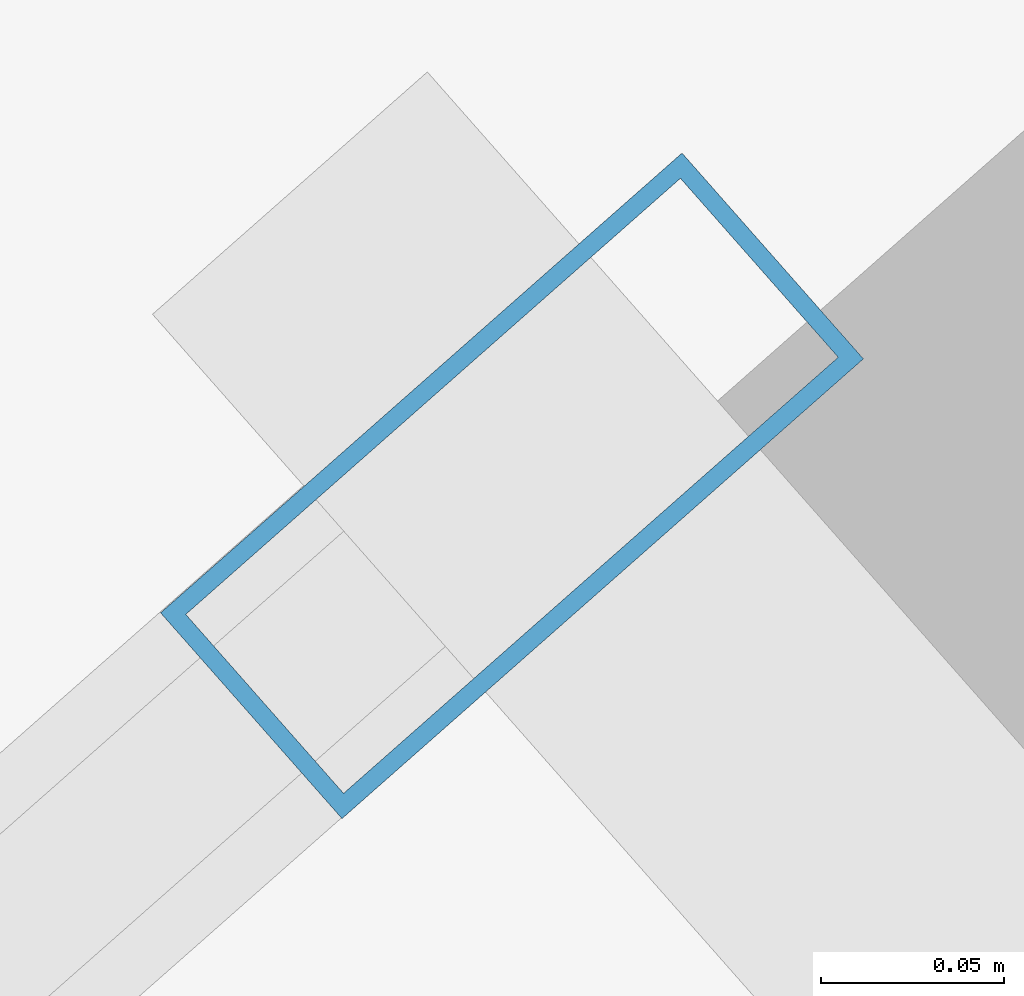
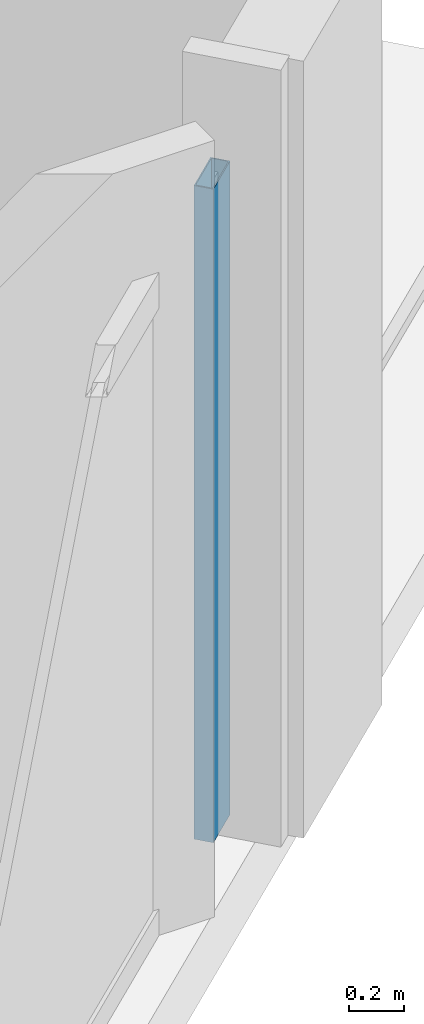
# One storey, part 13 of 34: 1 member, 1 element without a shape of its own.
"""IFC4 building model written with IfcOpenShell, lengths in metres."""

from ifc_helpers import new_model, si_unit, direction, frame, origin, origin_2d, place, context, subcontext, project, spatial, hollow_rectangle, extrude, material, material_profile, profile_set, type_object, element, aggregate, save


model = new_model("IFC4")

# Units and contexts
model_context = context("Model", 3, precision=1e-05, world=origin(), true_north=direction((0.0, 1.0)))
body_context = subcontext(model_context, "Body", "Model", "MODEL_VIEW")
ifc_project = project(units=[si_unit("LENGTHUNIT", "METRE"), si_unit("AREAUNIT", "SQUARE_METRE"), si_unit("VOLUMEUNIT", "CUBIC_METRE"), si_unit("PLANEANGLEUNIT", "RADIAN"), si_unit("MASSUNIT", "GRAM", prefix="KILO")], contexts=[model_context])

# Site, building, storey
site_placement = place(None, origin())
site = spatial("IfcSite", under=ifc_project, at=site_placement, CompositionType="ELEMENT")
building_placement = place(site_placement, origin())
building = spatial("IfcBuilding", under=site, at=building_placement, Name="Haldenkirk Collegiate Tower", CompositionType="ELEMENT")
storey_placement = place(building_placement, frame((0.0, 0.0, 166.949951171875)))
storey = spatial("IfcBuildingStorey", under=building, at=storey_placement, Name="L41", CompositionType="ELEMENT", Elevation=166.949951171875)

# Curtain wall, member
ifc_material = material(Name="Anodised architectural bronze aluminium", Category="aluminium")
curtain_wall_type = type_object("IfcCurtainWallType", Name="CW-SYS2-CONCAVE", PredefinedType="USERDEFINED", material=ifc_material)
curtain_wall_placement = place(storey_placement, origin())
curtain_wall = element("IfcCurtainWall", 1, at=curtain_wall_placement, inside=storey, type_object=curtain_wall_type, Name="L41 South concave recessed bronze-anodised curtain wall", ObjectType="UNITISED CURTAIN WALL", PredefinedType="USERDEFINED")
ifc_material_profile = material_profile(ifc_material, hollow_rectangle(XDim=0.074951171875, YDim=0.18994140625, WallThickness=0.0048828125, at=origin_2d()), Name="CW-MUL-02")
ifc_profile_set = profile_set([ifc_material_profile], Name="Anodised architectural bronze aluminium")
member_type = type_object("IfcMemberType", Name="CW-MUL-02", PredefinedType="MULLION", material=ifc_profile_set)
member_placement = place(storey_placement, frame((66.573486328125, 21.431884765625, 0.0), z_axis=(0.0, 0.0, 1.0), x_axis=(0.661310403519, -0.750112358382, 0.0)))
member = element("IfcMember", 2, at=member_placement, type_object=member_type, Name="CW-02 mullion 1", PredefinedType="MULLION", context=body_context, shape_type="SweptSolid", body=[
    extrude(hollow_rectangle(XDim=0.074951171875, YDim=0.18994140625, WallThickness=0.0048828125, at=origin_2d()), origin(), (0.0, 0.0, 1.0), 2.9111328125),
])
aggregate(curtain_wall, [member])

save(model, "model.ifc")
